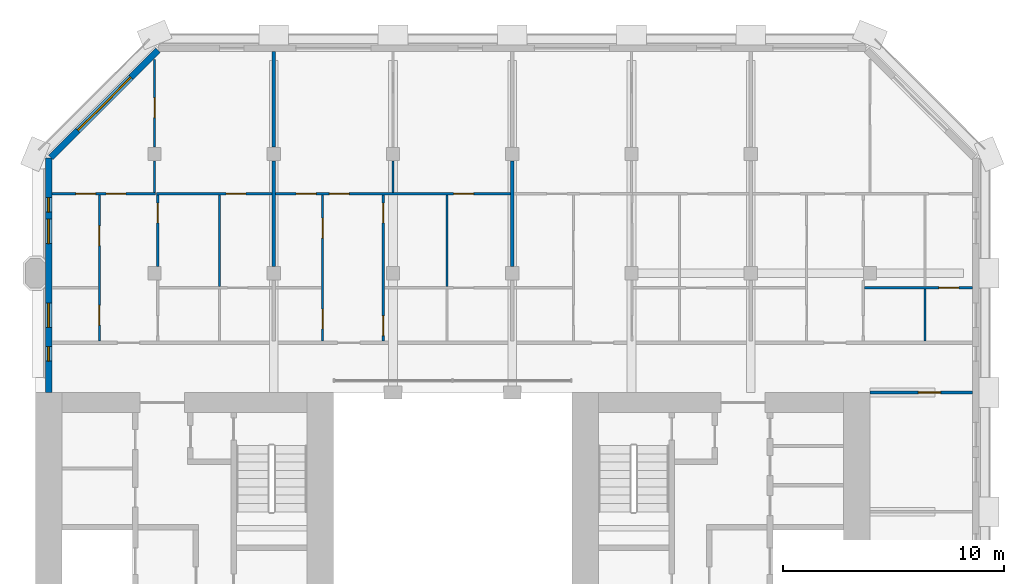
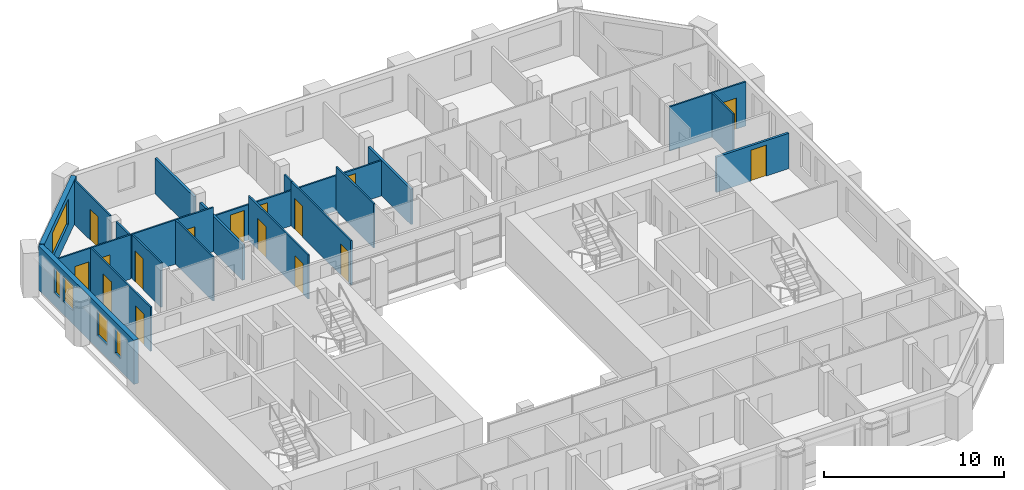
# One storey, part 8 of 13: 20 walls, 16 doors, 5 windows, 21 openings.
"""IFC4 building model written with IfcOpenShell, lengths in metres."""

from ifc_helpers import new_model, si_unit, direction, frame, frame_2d, origin, place, context, subcontext, project, spatial, rectangle, extrude, material, layer, layer_set, type_object, element, fill, save


model = new_model("IFC4")

# Units and contexts
model_context = context("Model", 3, precision=1e-05, world=origin(), true_north=direction((0.0, 1.0)))
body_context = subcontext(model_context, "Body", "Model", "MODEL_VIEW")
ifc_project = project(units=[si_unit("LENGTHUNIT", "METRE"), si_unit("AREAUNIT", "SQUARE_METRE"), si_unit("VOLUMEUNIT", "CUBIC_METRE"), si_unit("PLANEANGLEUNIT", "RADIAN"), si_unit("MASSUNIT", "GRAM", prefix="KILO")], contexts=[model_context])

# Site, building, storey
site_placement = place(None, origin())
site = spatial("IfcSite", under=ifc_project, at=site_placement, CompositionType="ELEMENT")
building_placement = place(site_placement, origin())
building = spatial("IfcBuilding", under=site, at=building_placement, Name="Tabaq Tower and Sports Hall", CompositionType="ELEMENT")
storey_placement = place(building_placement, frame((0.0, 0.0, 295.0)))
storey = spatial("IfcBuildingStorey", under=building, at=storey_placement, Name="L73", CompositionType="ELEMENT", Elevation=295.0)

# Wall, openings, doors
ifc_material_1 = material(Name="Gypsum board on steel studs", Category="steel")
ifc_layer_1 = layer(ifc_material_1, 0.10009765625)
ifc_layer_set_1 = layer_set([ifc_layer_1], Name="Partition 100 Gypsum board")
wall_type_1 = type_object("IfcWallType", Name="Partition 100 Gypsum board", PredefinedType="PARTITIONING", material=ifc_layer_set_1)
wall_1_placement = place(storey_placement, frame((6.15087890625, 41.39990234375, 0.0), z_axis=(0.0, 0.0, 1.0), x_axis=(1.0, 0.0, 0.0)))
wall_1 = element("IfcWall", 1, at=wall_1_placement, inside=storey, type_object=wall_type_1, Name="Partition wall L73", PredefinedType="PARTITIONING", context=body_context, shape_type="SweptSolid", body=[
    extrude(rectangle(XDim=4.69921875, YDim=0.10009765625, at=frame_2d((2.349609375, 0.0))), origin(), (0.0, 0.0, 1.0), 3.0),
])
opening_1_placement = place(wall_1_placement, frame((1.0791015625, 0.0, 0.0)))
opening_1 = element("IfcOpeningElement", 2, at=opening_1_placement, cuts=wall_1, Name="Opening L73-032", PredefinedType="OPENING", context=body_context, shape_type="SweptSolid", body=[
    extrude(rectangle(XDim=0.89990234375, YDim=2.10009765625, at=frame_2d((0.449951171875, 1.050048828125))), frame((0.0, 0.050048828125, 0.0), z_axis=(0.0, -1.0, 0.0), x_axis=(1.0, 0.0, 0.0)), (0.0, 0.0, 1.0), 0.10009765625),
])
opening_2_placement = place(wall_1_placement, frame((2.448974609375, 0.0, 0.0)))
opening_2 = element("IfcOpeningElement", 3, at=opening_2_placement, cuts=wall_1, Name="Opening L73-052", PredefinedType="OPENING", context=body_context, shape_type="SweptSolid", body=[
    extrude(rectangle(XDim=0.89990234375, YDim=2.10009765625, at=frame_2d((0.449951171875, 1.050048828125))), frame((0.0, 0.050048828125, 0.0), z_axis=(0.0, -1.0, 0.0), x_axis=(1.0, 0.0, 0.0)), (0.0, 0.0, 1.0), 0.10009765625),
])
ifc_material_2 = material(Name="Timber leaf in steel frame", Category="steel")
door_type_1 = type_object("IfcDoorType", Name="Internal door 900 left hand", OperationType="SINGLE_SWING_LEFT", PredefinedType="DOOR", material=ifc_material_2)
door_1_placement = place(opening_2_placement, origin())
door_1 = element("IfcDoor", 4, at=door_1_placement, inside=storey, type_object=door_type_1, Name="Internal door L73-052", OperationType="SINGLE_SWING_LEFT", OverallHeight=2.10009765625, OverallWidth=0.89990234375, PredefinedType="DOOR", context=body_context, shape_type="SweptSolid", body=[
    extrude(rectangle(XDim=0.89990234375, YDim=2.10009765625, at=frame_2d((0.449951171875, 1.050048828125))), frame((0.0, 0.02490234375, 0.0), z_axis=(0.0, -1.0, 0.0), x_axis=(1.0, 0.0, 0.0)), (0.0, 0.0, 1.0), 0.050048828125),
])
fill(opening_2, door_1)
ifc_material_3 = material(Name="Timber leaf in steel frame", Category="steel")
door_type_2 = type_object("IfcDoorType", Name="Internal door 900 right hand", OperationType="SINGLE_SWING_RIGHT", PredefinedType="DOOR", material=ifc_material_3)
door_2_placement = place(opening_1_placement, origin())
door_2 = element("IfcDoor", 5, at=door_2_placement, inside=storey, type_object=door_type_2, Name="Internal door L73-032", OperationType="SINGLE_SWING_RIGHT", OverallHeight=2.10009765625, OverallWidth=0.89990234375, PredefinedType="DOOR", context=body_context, shape_type="SweptSolid", body=[
    extrude(rectangle(XDim=0.89990234375, YDim=2.10009765625, at=frame_2d((0.449951171875, 1.050048828125))), frame((0.0, 0.02490234375, 0.0), z_axis=(0.0, -1.0, 0.0), x_axis=(1.0, 0.0, 0.0)), (0.0, 0.0, 1.0), 0.050048828125),
])
fill(opening_1, door_2)

# Wall
wall_2_placement = place(storey_placement, frame((10.800048828125, 41.449951171875, 0.0), z_axis=(0.0, 0.0, 1.0), x_axis=(0.0, 1.0, 0.0)))
element("IfcWall", 6, at=wall_2_placement, inside=storey, type_object=wall_type_1, Name="Partition wall L73", PredefinedType="PARTITIONING", context=body_context, shape_type="SweptSolid", body=[
    extrude(rectangle(XDim=1.429931640625, YDim=0.10009765625, at=frame_2d((0.71484375, 0.0))), origin(), (0.0, 0.0, 1.0), 3.0),
])

# Wall, opening, door
wall_3_placement = place(storey_placement, frame((10.800048828125, 43.52001953125, 0.0), z_axis=(0.0, 0.0, 1.0), x_axis=(0.0, 1.0, 0.0)))
wall_3 = element("IfcWall", 7, at=wall_3_placement, inside=storey, type_object=wall_type_1, Name="Partition wall L73", PredefinedType="PARTITIONING", context=body_context, shape_type="SweptSolid", body=[
    extrude(rectangle(XDim=3.9677734375, YDim=0.10009765625, at=frame_2d((1.98388671875, 0.0))), origin(), (0.0, 0.0, 1.0), 3.0),
])
opening_3_placement = place(wall_3_placement, frame((1.330078125, 0.0, 0.0)))
opening_3 = element("IfcOpeningElement", 8, at=opening_3_placement, cuts=wall_3, Name="Opening L73-031", PredefinedType="OPENING", context=body_context, shape_type="SweptSolid", body=[
    extrude(rectangle(XDim=0.89990234375, YDim=2.10009765625, at=frame_2d((0.449951171875, 1.050048828125))), frame((0.0, 0.050048828125, 0.0), z_axis=(0.0, -1.0, 0.0), x_axis=(1.0, 0.0, 0.0)), (0.0, 0.0, 1.0), 0.10009765625),
])
door_3_placement = place(opening_3_placement, origin())
door_3 = element("IfcDoor", 9, at=door_3_placement, inside=storey, type_object=door_type_2, Name="Internal door L73-031", OperationType="SINGLE_SWING_RIGHT", OverallHeight=2.10009765625, OverallWidth=0.89990234375, PredefinedType="DOOR", context=body_context, shape_type="SweptSolid", body=[
    extrude(rectangle(XDim=0.89990234375, YDim=2.10009765625, at=frame_2d((0.449951171875, 1.050048828125))), frame((0.0, 0.02490234375, 0.0), z_axis=(0.0, -1.0, 0.0), x_axis=(1.0, 0.0, 0.0)), (0.0, 0.0, 1.0), 0.050048828125),
])
fill(opening_3, door_3)

wall_4_placement = place(storey_placement, frame((10.889892578125, 41.39990234375, 0.0), z_axis=(0.0, 0.0, 1.0), x_axis=(1.0, 0.0, 0.0)))
wall_4 = element("IfcWall", 10, at=wall_4_placement, inside=storey, type_object=wall_type_1, Name="Partition wall L73", PredefinedType="PARTITIONING", context=body_context, shape_type="SweptSolid", body=[
    extrude(rectangle(XDim=5.235107421875, YDim=0.10009765625, at=frame_2d((2.61767578125, 0.0))), origin(), (0.0, 0.0, 1.0), 3.0),
])
opening_4_placement = place(wall_4_placement, frame((3.14990234375, 0.0, 0.0)))
opening_4 = element("IfcOpeningElement", 11, at=opening_4_placement, cuts=wall_4, Name="Opening L73-033", PredefinedType="OPENING", context=body_context, shape_type="SweptSolid", body=[
    extrude(rectangle(XDim=0.89990234375, YDim=2.10009765625, at=frame_2d((0.449951171875, 1.050048828125))), frame((0.0, 0.050048828125, 0.0), z_axis=(0.0, -1.0, 0.0), x_axis=(1.0, 0.0, 0.0)), (0.0, 0.0, 1.0), 0.10009765625),
])
door_4_placement = place(opening_4_placement, origin())
door_4 = element("IfcDoor", 12, at=door_4_placement, inside=storey, type_object=door_type_1, Name="Internal door L73-033", OperationType="SINGLE_SWING_LEFT", OverallHeight=2.10009765625, OverallWidth=0.89990234375, PredefinedType="DOOR", context=body_context, shape_type="SweptSolid", body=[
    extrude(rectangle(XDim=0.89990234375, YDim=2.10009765625, at=frame_2d((0.449951171875, 1.050048828125))), frame((0.0, 0.02490234375, 0.0), z_axis=(0.0, -1.0, 0.0), x_axis=(1.0, 0.0, 0.0)), (0.0, 0.0, 1.0), 0.050048828125),
])
fill(opening_4, door_4)

# Wall, openings, doors
wall_5_placement = place(storey_placement, frame((8.300048828125, 34.72509765625, 0.0), z_axis=(0.0, 0.0, 1.0), x_axis=(0.0, 1.0, 0.0)))
wall_5 = element("IfcWall", 13, at=wall_5_placement, inside=storey, type_object=wall_type_1, Name="Partition wall L73", PredefinedType="PARTITIONING", context=body_context, shape_type="SweptSolid", body=[
    extrude(rectangle(XDim=6.625, YDim=0.10009765625, at=frame_2d((3.3125, 0.0))), origin(), (0.0, 0.0, 1.0), 3.0),
])
opening_5_placement = place(wall_5_placement, frame((0.72509765625, 0.0, 0.0)))
opening_5 = element("IfcOpeningElement", 14, at=opening_5_placement, cuts=wall_5, Name="Opening L73-001", PredefinedType="OPENING", context=body_context, shape_type="SweptSolid", body=[
    extrude(rectangle(XDim=0.89990234375, YDim=2.10009765625, at=frame_2d((0.449951171875, 1.050048828125))), frame((0.0, 0.050048828125, 0.0), z_axis=(0.0, -1.0, 0.0), x_axis=(1.0, 0.0, 0.0)), (0.0, 0.0, 1.0), 0.10009765625),
])
opening_6_placement = place(wall_5_placement, frame((4.3291015625, 0.0, 0.0)))
opening_6 = element("IfcOpeningElement", 15, at=opening_6_placement, cuts=wall_5, Name="Opening L73-034", PredefinedType="OPENING", context=body_context, shape_type="SweptSolid", body=[
    extrude(rectangle(XDim=0.89990234375, YDim=2.10009765625, at=frame_2d((0.449951171875, 1.050048828125))), frame((0.0, 0.050048828125, 0.0), z_axis=(0.0, -1.0, 0.0), x_axis=(1.0, 0.0, 0.0)), (0.0, 0.0, 1.0), 0.10009765625),
])
door_5_placement = place(opening_5_placement, origin())
door_5 = element("IfcDoor", 16, at=door_5_placement, inside=storey, type_object=door_type_1, Name="Internal door L73-001", OperationType="SINGLE_SWING_LEFT", OverallHeight=2.10009765625, OverallWidth=0.89990234375, PredefinedType="DOOR", context=body_context, shape_type="SweptSolid", body=[
    extrude(rectangle(XDim=0.89990234375, YDim=2.10009765625, at=frame_2d((0.449951171875, 1.050048828125))), frame((0.0, 0.02490234375, 0.0), z_axis=(0.0, -1.0, 0.0), x_axis=(1.0, 0.0, 0.0)), (0.0, 0.0, 1.0), 0.050048828125),
])
fill(opening_5, door_5)
door_6_placement = place(opening_6_placement, origin())
door_6 = element("IfcDoor", 17, at=door_6_placement, inside=storey, type_object=door_type_2, Name="Internal door L73-034", OperationType="SINGLE_SWING_RIGHT", OverallHeight=2.10009765625, OverallWidth=0.89990234375, PredefinedType="DOOR", context=body_context, shape_type="SweptSolid", body=[
    extrude(rectangle(XDim=0.89990234375, YDim=2.10009765625, at=frame_2d((0.449951171875, 1.050048828125))), frame((0.0, 0.02490234375, 0.0), z_axis=(0.0, -1.0, 0.0), x_axis=(1.0, 0.0, 0.0)), (0.0, 0.0, 1.0), 0.050048828125),
])
fill(opening_6, door_6)

# Wall, opening, door
wall_6_placement = place(storey_placement, frame((10.93994140625, 38.1201171875, 0.0), z_axis=(0.0, 0.0, 1.0), x_axis=(0.0, 1.0, 0.0)))
wall_6 = element("IfcWall", 18, at=wall_6_placement, inside=storey, type_object=wall_type_1, Name="Partition wall L73", PredefinedType="PARTITIONING", context=body_context, shape_type="SweptSolid", body=[
    extrude(rectangle(XDim=3.22998046875, YDim=0.10009765625, at=frame_2d((1.614990234375, 0.0))), origin(), (0.0, 0.0, 1.0), 3.0),
])
opening_7_placement = place(wall_6_placement, frame((1.965087890625, 0.0, 0.0)))
opening_7 = element("IfcOpeningElement", 19, at=opening_7_placement, cuts=wall_6, Name="Opening L73-002", PredefinedType="OPENING", context=body_context, shape_type="SweptSolid", body=[
    extrude(rectangle(XDim=0.89990234375, YDim=2.10009765625, at=frame_2d((0.449951171875, 1.050048828125))), frame((0.0, 0.050048828125, 0.0), z_axis=(0.0, -1.0, 0.0), x_axis=(1.0, 0.0, 0.0)), (0.0, 0.0, 1.0), 0.10009765625),
])
door_7_placement = place(opening_7_placement, origin())
door_7 = element("IfcDoor", 20, at=door_7_placement, inside=storey, type_object=door_type_2, Name="Internal door L73-002", OperationType="SINGLE_SWING_RIGHT", OverallHeight=2.10009765625, OverallWidth=0.89990234375, PredefinedType="DOOR", context=body_context, shape_type="SweptSolid", body=[
    extrude(rectangle(XDim=0.89990234375, YDim=2.10009765625, at=frame_2d((0.449951171875, 1.050048828125))), frame((0.0, 0.02490234375, 0.0), z_axis=(0.0, -1.0, 0.0), x_axis=(1.0, 0.0, 0.0)), (0.0, 0.0, 1.0), 0.050048828125),
])
fill(opening_7, door_7)

# Walls
wall_7_placement = place(storey_placement, frame((13.739990234375, 37.199951171875, 0.0), z_axis=(0.0, 0.0, 1.0), x_axis=(0.0, 1.0, 0.0)))
element("IfcWall", 21, at=wall_7_placement, inside=storey, type_object=wall_type_1, Name="Partition wall L73", PredefinedType="PARTITIONING", context=body_context, shape_type="SweptSolid", body=[
    extrude(rectangle(XDim=4.150146484375, YDim=0.10009765625, at=frame_2d((2.0751953125, 0.0))), origin(), (0.0, 0.0, 1.0), 3.0),
])
wall_8_placement = place(storey_placement, frame((21.60009765625, 41.449951171875, 0.0), z_axis=(0.0, 0.0, 1.0), x_axis=(0.0, 1.0, 0.0)))
element("IfcWall", 22, at=wall_8_placement, inside=storey, type_object=wall_type_1, Name="Partition wall L73", PredefinedType="PARTITIONING", context=body_context, shape_type="SweptSolid", body=[
    extrude(rectangle(XDim=1.429931640625, YDim=0.10009765625, at=frame_2d((0.71484375, 0.0))), origin(), (0.0, 0.0, 1.0), 2.39990234375),
])

# Wall, openings, doors
wall_9_placement = place(storey_placement, frame((16.27490234375, 41.39990234375, 0.0), z_axis=(0.0, 0.0, 1.0), x_axis=(1.0, 0.0, 0.0)))
wall_9 = element("IfcWall", 23, at=wall_9_placement, inside=storey, type_object=wall_type_1, Name="Partition wall L73", PredefinedType="PARTITIONING", context=body_context, shape_type="SweptSolid", body=[
    extrude(rectangle(XDim=10.650146484375, YDim=0.10009765625, at=frame_2d((5.3251953125, 0.0))), origin(), (0.0, 0.0, 1.0), 2.39990234375),
])
opening_8_placement = place(wall_9_placement, frame((0.93701171875, 0.0, 0.0)))
opening_8 = element("IfcOpeningElement", 24, at=opening_8_placement, cuts=wall_9, Name="Opening L73-036", PredefinedType="OPENING", context=body_context, shape_type="SweptSolid", body=[
    extrude(rectangle(XDim=0.89990234375, YDim=2.10009765625, at=frame_2d((0.449951171875, 1.050048828125))), frame((0.0, 0.050048828125, 0.0), z_axis=(0.0, -1.0, 0.0), x_axis=(1.0, 0.0, 0.0)), (0.0, 0.0, 1.0), 0.10009765625),
])
opening_9_placement = place(wall_9_placement, frame((8.074951171875, 0.0, 0.0)))
opening_9 = element("IfcOpeningElement", 25, at=opening_9_placement, cuts=wall_9, Name="Opening L73-037", PredefinedType="OPENING", context=body_context, shape_type="SweptSolid", body=[
    extrude(rectangle(XDim=0.89990234375, YDim=2.10009765625, at=frame_2d((0.449951171875, 1.050048828125))), frame((0.0, 0.050048828125, 0.0), z_axis=(0.0, -1.0, 0.0), x_axis=(1.0, 0.0, 0.0)), (0.0, 0.0, 1.0), 0.10009765625),
])
opening_10_placement = place(wall_9_placement, frame((2.43701171875, 0.0, 0.0)))
opening_10 = element("IfcOpeningElement", 26, at=opening_10_placement, cuts=wall_9, Name="Opening L73-053", PredefinedType="OPENING", context=body_context, shape_type="SweptSolid", body=[
    extrude(rectangle(XDim=0.89990234375, YDim=2.10009765625, at=frame_2d((0.449951171875, 1.050048828125))), frame((0.0, 0.050048828125, 0.0), z_axis=(0.0, -1.0, 0.0), x_axis=(1.0, 0.0, 0.0)), (0.0, 0.0, 1.0), 0.10009765625),
])
door_8_placement = place(opening_9_placement, origin())
door_8 = element("IfcDoor", 27, at=door_8_placement, inside=storey, type_object=door_type_1, Name="Internal door L73-037", OperationType="SINGLE_SWING_LEFT", OverallHeight=2.10009765625, OverallWidth=0.89990234375, PredefinedType="DOOR", context=body_context, shape_type="SweptSolid", body=[
    extrude(rectangle(XDim=0.89990234375, YDim=2.10009765625, at=frame_2d((0.449951171875, 1.050048828125))), frame((0.0, 0.02490234375, 0.0), z_axis=(0.0, -1.0, 0.0), x_axis=(1.0, 0.0, 0.0)), (0.0, 0.0, 1.0), 0.050048828125),
])
fill(opening_9, door_8)
door_9_placement = place(opening_10_placement, origin())
door_9 = element("IfcDoor", 28, at=door_9_placement, inside=storey, type_object=door_type_1, Name="Internal door L73-053", OperationType="SINGLE_SWING_LEFT", OverallHeight=2.10009765625, OverallWidth=0.89990234375, PredefinedType="DOOR", context=body_context, shape_type="SweptSolid", body=[
    extrude(rectangle(XDim=0.89990234375, YDim=2.10009765625, at=frame_2d((0.449951171875, 1.050048828125))), frame((0.0, 0.02490234375, 0.0), z_axis=(0.0, -1.0, 0.0), x_axis=(1.0, 0.0, 0.0)), (0.0, 0.0, 1.0), 0.050048828125),
])
fill(opening_10, door_9)
door_10_placement = place(opening_8_placement, origin())
door_10 = element("IfcDoor", 29, at=door_10_placement, inside=storey, type_object=door_type_2, Name="Internal door L73-036", OperationType="SINGLE_SWING_RIGHT", OverallHeight=2.10009765625, OverallWidth=0.89990234375, PredefinedType="DOOR", context=body_context, shape_type="SweptSolid", body=[
    extrude(rectangle(XDim=0.89990234375, YDim=2.10009765625, at=frame_2d((0.449951171875, 1.050048828125))), frame((0.0, 0.02490234375, 0.0), z_axis=(0.0, -1.0, 0.0), x_axis=(1.0, 0.0, 0.0)), (0.0, 0.0, 1.0), 0.050048828125),
])
fill(opening_8, door_10)

wall_10_placement = place(storey_placement, frame((18.412109375, 34.72509765625, 0.0), z_axis=(0.0, 0.0, 1.0), x_axis=(0.0, 1.0, 0.0)))
wall_10 = element("IfcWall", 30, at=wall_10_placement, inside=storey, type_object=wall_type_1, Name="Partition wall L73", PredefinedType="PARTITIONING", context=body_context, shape_type="SweptSolid", body=[
    extrude(rectangle(XDim=6.625, YDim=0.10009765625, at=frame_2d((3.3125, 0.0))), origin(), (0.0, 0.0, 1.0), 3.0),
])
opening_11_placement = place(wall_10_placement, frame((0.55810546875, 0.0, 0.0)))
opening_11 = element("IfcOpeningElement", 31, at=opening_11_placement, cuts=wall_10, Name="Opening L73-005", PredefinedType="OPENING", context=body_context, shape_type="SweptSolid", body=[
    extrude(rectangle(XDim=0.89990234375, YDim=2.10009765625, at=frame_2d((0.449951171875, 1.050048828125))), frame((0.0, 0.050048828125, 0.0), z_axis=(0.0, -1.0, 0.0), x_axis=(1.0, 0.0, 0.0)), (0.0, 0.0, 1.0), 0.10009765625),
])
opening_12_placement = place(wall_10_placement, frame((4.673095703125, 0.0, 0.0)))
opening_12 = element("IfcOpeningElement", 32, at=opening_12_placement, cuts=wall_10, Name="Opening L73-038", PredefinedType="OPENING", context=body_context, shape_type="SweptSolid", body=[
    extrude(rectangle(XDim=0.89990234375, YDim=2.10009765625, at=frame_2d((0.449951171875, 1.050048828125))), frame((0.0, 0.050048828125, 0.0), z_axis=(0.0, -1.0, 0.0), x_axis=(1.0, 0.0, 0.0)), (0.0, 0.0, 1.0), 0.10009765625),
])
door_11_placement = place(opening_12_placement, origin())
door_11 = element("IfcDoor", 33, at=door_11_placement, inside=storey, type_object=door_type_1, Name="Internal door L73-038", OperationType="SINGLE_SWING_LEFT", OverallHeight=2.10009765625, OverallWidth=0.89990234375, PredefinedType="DOOR", context=body_context, shape_type="SweptSolid", body=[
    extrude(rectangle(XDim=0.89990234375, YDim=2.10009765625, at=frame_2d((0.449951171875, 1.050048828125))), frame((0.0, 0.02490234375, 0.0), z_axis=(0.0, -1.0, 0.0), x_axis=(1.0, 0.0, 0.0)), (0.0, 0.0, 1.0), 0.050048828125),
])
fill(opening_12, door_11)
door_12_placement = place(opening_11_placement, origin())
door_12 = element("IfcDoor", 34, at=door_12_placement, inside=storey, type_object=door_type_2, Name="Internal door L73-005", OperationType="SINGLE_SWING_RIGHT", OverallHeight=2.10009765625, OverallWidth=0.89990234375, PredefinedType="DOOR", context=body_context, shape_type="SweptSolid", body=[
    extrude(rectangle(XDim=0.89990234375, YDim=2.10009765625, at=frame_2d((0.449951171875, 1.050048828125))), frame((0.0, 0.02490234375, 0.0), z_axis=(0.0, -1.0, 0.0), x_axis=(1.0, 0.0, 0.0)), (0.0, 0.0, 1.0), 0.050048828125),
])
fill(opening_11, door_12)

wall_11_placement = place(storey_placement, frame((21.162109375, 34.72509765625, 0.0), z_axis=(0.0, 0.0, 1.0), x_axis=(0.0, 1.0, 0.0)))
wall_11 = element("IfcWall", 35, at=wall_11_placement, inside=storey, type_object=wall_type_1, Name="Partition wall L73", PredefinedType="PARTITIONING", context=body_context, shape_type="SweptSolid", body=[
    extrude(rectangle(XDim=6.625, YDim=0.10009765625, at=frame_2d((3.3125, 0.0))), origin(), (0.0, 0.0, 1.0), 3.0),
])
opening_13_placement = place(wall_11_placement, frame((5.360107421875, 0.0, 0.0)))
opening_13 = element("IfcOpeningElement", 36, at=opening_13_placement, cuts=wall_11, Name="Opening L73-006", PredefinedType="OPENING", context=body_context, shape_type="SweptSolid", body=[
    extrude(rectangle(XDim=0.89990234375, YDim=2.10009765625, at=frame_2d((0.449951171875, 1.050048828125))), frame((0.0, 0.050048828125, 0.0), z_axis=(0.0, -1.0, 0.0), x_axis=(1.0, 0.0, 0.0)), (0.0, 0.0, 1.0), 0.10009765625),
])
opening_14_placement = place(wall_11_placement, frame((0.25, 0.0, 0.0)))
opening_14 = element("IfcOpeningElement", 37, at=opening_14_placement, cuts=wall_11, Name="Opening L73-007", PredefinedType="OPENING", context=body_context, shape_type="SweptSolid", body=[
    extrude(rectangle(XDim=0.89990234375, YDim=2.10009765625, at=frame_2d((0.449951171875, 1.050048828125))), frame((0.0, 0.050048828125, 0.0), z_axis=(0.0, -1.0, 0.0), x_axis=(1.0, 0.0, 0.0)), (0.0, 0.0, 1.0), 0.10009765625),
])
door_13_placement = place(opening_13_placement, origin())
door_13 = element("IfcDoor", 38, at=door_13_placement, inside=storey, type_object=door_type_1, Name="Internal door L73-006", OperationType="SINGLE_SWING_LEFT", OverallHeight=2.10009765625, OverallWidth=0.89990234375, PredefinedType="DOOR", context=body_context, shape_type="SweptSolid", body=[
    extrude(rectangle(XDim=0.89990234375, YDim=2.10009765625, at=frame_2d((0.449951171875, 1.050048828125))), frame((0.0, 0.02490234375, 0.0), z_axis=(0.0, -1.0, 0.0), x_axis=(1.0, 0.0, 0.0)), (0.0, 0.0, 1.0), 0.050048828125),
])
fill(opening_13, door_13)
door_14_placement = place(opening_14_placement, origin())
door_14 = element("IfcDoor", 39, at=door_14_placement, inside=storey, type_object=door_type_1, Name="Internal door L73-007", OperationType="SINGLE_SWING_LEFT", OverallHeight=2.10009765625, OverallWidth=0.89990234375, PredefinedType="DOOR", context=body_context, shape_type="SweptSolid", body=[
    extrude(rectangle(XDim=0.89990234375, YDim=2.10009765625, at=frame_2d((0.449951171875, 1.050048828125))), frame((0.0, 0.02490234375, 0.0), z_axis=(0.0, -1.0, 0.0), x_axis=(1.0, 0.0, 0.0)), (0.0, 0.0, 1.0), 0.050048828125),
])
fill(opening_14, door_14)

# Walls
wall_12_placement = place(storey_placement, frame((24.050048828125, 37.199951171875, 0.0), z_axis=(0.0, 0.0, 1.0), x_axis=(0.0, 1.0, 0.0)))
element("IfcWall", 40, at=wall_12_placement, inside=storey, type_object=wall_type_1, Name="Partition wall L73", PredefinedType="PARTITIONING", context=body_context, shape_type="SweptSolid", body=[
    extrude(rectangle(XDim=4.150146484375, YDim=0.10009765625, at=frame_2d((2.0751953125, 0.0))), origin(), (0.0, 0.0, 1.0), 3.0),
])
wall_13_placement = place(storey_placement, frame((45.699951171875, 34.72509765625, 0.0), z_axis=(0.0, 0.0, 1.0), x_axis=(0.0, 1.0, 0.0)))
element("IfcWall", 41, at=wall_13_placement, inside=storey, type_object=wall_type_1, Name="Partition wall L73", PredefinedType="PARTITIONING", context=body_context, shape_type="SweptSolid", body=[
    extrude(rectangle(XDim=2.375, YDim=0.10009765625, at=frame_2d((1.1875, 0.0))), origin(), (0.0, 0.0, 1.0), 3.0),
])

# Wall, opening, door
wall_14_placement = place(storey_placement, frame((42.949951171875, 37.14990234375, 0.0), z_axis=(0.0, 0.0, 1.0), x_axis=(1.0, 0.0, 0.0)))
wall_14 = element("IfcWall", 42, at=wall_14_placement, inside=storey, type_object=wall_type_1, Name="Partition wall L73", PredefinedType="PARTITIONING", context=body_context, shape_type="SweptSolid", body=[
    extrude(rectangle(XDim=4.899169921875, YDim=0.10009765625, at=frame_2d((2.44970703125, 0.0))), origin(), (0.0, 0.0, 1.0), 3.0),
])
opening_15_placement = place(wall_14_placement, frame((3.3759765625, 0.0, 0.0)))
opening_15 = element("IfcOpeningElement", 43, at=opening_15_placement, cuts=wall_14, Name="Opening L73-016", PredefinedType="OPENING", context=body_context, shape_type="SweptSolid", body=[
    extrude(rectangle(XDim=0.89990234375, YDim=2.10009765625, at=frame_2d((0.449951171875, 1.050048828125))), frame((0.0, 0.050048828125, 0.0), z_axis=(0.0, -1.0, 0.0), x_axis=(1.0, 0.0, 0.0)), (0.0, 0.0, 1.0), 0.10009765625),
])
door_15_placement = place(opening_15_placement, origin())
door_15 = element("IfcDoor", 44, at=door_15_placement, inside=storey, type_object=door_type_1, Name="Internal door L73-016", OperationType="SINGLE_SWING_LEFT", OverallHeight=2.10009765625, OverallWidth=0.89990234375, PredefinedType="DOOR", context=body_context, shape_type="SweptSolid", body=[
    extrude(rectangle(XDim=0.89990234375, YDim=2.10009765625, at=frame_2d((0.449951171875, 1.050048828125))), frame((0.0, 0.02490234375, 0.0), z_axis=(0.0, -1.0, 0.0), x_axis=(1.0, 0.0, 0.0)), (0.0, 0.0, 1.0), 0.050048828125),
])
fill(opening_15, door_15)

# Walls
ifc_material_4 = material(Name="Blockwork", Category="masonry")
ifc_layer_2 = layer(ifc_material_4, 0.14990234375)
ifc_layer_set_2 = layer_set([ifc_layer_2], Name="Separating wall 150 Blockwork")
wall_type_2 = type_object("IfcWallType", Name="Separating wall 150 Blockwork", PredefinedType="PARTITIONING", material=ifc_layer_set_2)
wall_15_placement = place(storey_placement, frame((16.199951171875, 43.52001953125, 0.0), z_axis=(0.0, 0.0, 1.0), x_axis=(0.0, 1.0, 0.0)))
element("IfcWall", 45, at=wall_15_placement, inside=storey, type_object=wall_type_2, Name="Separating wall L73", PredefinedType="PARTITIONING", context=body_context, shape_type="SweptSolid", body=[
    extrude(rectangle(XDim=4.3291015625, YDim=0.14990234375, at=frame_2d((2.16455078125, 0.0))), origin(), (0.0, 0.0, 1.0), 2.39990234375),
])
for number, where, z_axis, x_axis, name in (
    (46, (16.199951171875, 38.1201171875, 0.0), (0.0, 0.0, 1.0), (0.0, 1.0, 0.0), "Separating wall L73"),
    (47, (27.0, 38.1201171875, 0.0), (0.0, 0.0, 1.0), (0.0, 1.0, 0.0), "Separating wall L73"),
):
    element("IfcWall", number, at=place(storey_placement, frame(where, z_axis=z_axis, x_axis=x_axis)), inside=storey, type_object=wall_type_2, Name=name, PredefinedType="PARTITIONING", context=body_context, shape_type="SweptSolid", body=[
        extrude(rectangle(XDim=4.759765625, YDim=0.14990234375, at=frame_2d((2.3798828125, 0.0))), origin(), (0.0, 0.0, 1.0), 2.39990234375),
    ])

# Wall, opening, door
wall_16_placement = place(storey_placement, frame((47.84912109375, 32.39990234375, 0.0), z_axis=(0.0, 0.0, 1.0), x_axis=(-1.0, 0.0, 0.0)))
wall_16 = element("IfcWall", 48, at=wall_16_placement, inside=storey, type_object=wall_type_2, Name="Separating wall L73", PredefinedType="PARTITIONING", context=body_context, shape_type="SweptSolid", body=[
    extrude(rectangle(XDim=4.649169921875, YDim=0.14990234375, at=frame_2d((2.32470703125, 0.0))), origin(), (0.0, 0.0, 1.0), 2.39990234375),
])
opening_16_placement = place(wall_16_placement, frame((1.448974609375, 0.0, 0.0)))
opening_16 = element("IfcOpeningElement", 49, at=opening_16_placement, cuts=wall_16, Name="Opening L73-017", PredefinedType="OPENING", context=body_context, shape_type="SweptSolid", body=[
    extrude(rectangle(XDim=1.0, YDim=2.10009765625, at=frame_2d((0.5, 1.050048828125))), frame((0.0, 0.074951171875, 0.0), z_axis=(0.0, -1.0, 0.0), x_axis=(1.0, 0.0, 0.0)), (0.0, 0.0, 1.0), 0.14990234375),
])
ifc_material_5 = material(Name="Timber leaf in steel frame", Category="steel")
door_type_3 = type_object("IfcDoorType", Name="Internal door 1000 left hand", OperationType="SINGLE_SWING_LEFT", PredefinedType="DOOR", material=ifc_material_5)
door_16_placement = place(opening_16_placement, origin())
door_16 = element("IfcDoor", 50, at=door_16_placement, inside=storey, type_object=door_type_3, Name="Internal door L73-017", OperationType="SINGLE_SWING_LEFT", OverallHeight=2.10009765625, OverallWidth=1.0, PredefinedType="DOOR", context=body_context, shape_type="SweptSolid", body=[
    extrude(rectangle(XDim=1.0, YDim=2.10009765625, at=frame_2d((0.5, 1.050048828125))), frame((0.0, 0.02490234375, 0.0), z_axis=(0.0, -1.0, 0.0), x_axis=(1.0, 0.0, 0.0)), (0.0, 0.0, 1.0), 0.050048828125),
])
fill(opening_16, door_16)

# Wall, opening, window
ifc_material_6 = material(Name="White precast concrete C60/75", Category="concrete")
ifc_layer_3 = layer(ifc_material_6, 0.300048828125)
ifc_layer_set_3 = layer_set([ifc_layer_3], Name="White precast concrete C60/75 external wall 300")
wall_type_3 = type_object("IfcWallType", Name="White precast concrete C60/75 external wall 300", PredefinedType="SOLIDWALL", material=ifc_layer_set_3)
wall_17_placement = place(storey_placement, frame((10.949462890625, 47.901123046875, 0.0), z_axis=(0.0, 0.0, 1.0), x_axis=(-0.707106781187, -0.707106781187, 0.0)))
wall_17 = element("IfcWall", 51, at=wall_17_placement, inside=storey, type_object=wall_type_3, Name="External Wall L73 NW", PredefinedType="SOLIDWALL", context=body_context, shape_type="SweptSolid", body=[
    extrude(rectangle(XDim=6.85986328125, YDim=0.300048828125, at=frame_2d((3.429931640625, 0.0))), origin(), (0.0, 0.0, 1.0), 3.0),
])
opening_17_placement = place(wall_17_placement, frame((1.729736328125, 0.0, 0.89990234375)))
opening_17 = element("IfcOpeningElement", 52, at=opening_17_placement, cuts=wall_17, Name="Opening W1A", PredefinedType="OPENING", context=body_context, shape_type="SweptSolid", body=[
    extrude(rectangle(XDim=3.39990234375, YDim=1.699951171875, at=frame_2d((1.699951171875, 0.85009765625))), frame((0.0, 0.16015625, 0.0), z_axis=(0.0, -1.0, 0.0), x_axis=(1.0, 0.0, 0.0)), (0.0, 0.0, 1.0), 0.320068359375),
])
ifc_material_7 = material(Name="Aluminium framed clear glazing", Category="aluminium")
window_type_1 = type_object("IfcWindowType", Name="Window W1A", PartitioningType="SINGLE_PANEL", PredefinedType="WINDOW", material=ifc_material_7)
window_1_placement = place(opening_17_placement, origin())
window_1 = element("IfcWindow", 53, at=window_1_placement, inside=storey, type_object=window_type_1, Name="Window W1A L73", OverallHeight=1.699951171875, OverallWidth=3.39990234375, PartitioningType="SINGLE_PANEL", PredefinedType="WINDOW", context=body_context, shape_type="SweptSolid", body=[
    extrude(rectangle(XDim=3.39990234375, YDim=1.699951171875, at=frame_2d((1.699951171875, 0.85009765625))), frame((0.0, 0.030029296875, 0.0), z_axis=(0.0, -1.0, 0.0), x_axis=(1.0, 0.0, 0.0)), (0.0, 0.0, 1.0), 0.06005859375),
])
fill(opening_17, window_1)

# Wall, openings, windows
wall_18_placement = place(storey_placement, frame((6.0, 43.013671875, 0.0), z_axis=(0.0, 0.0, 1.0), x_axis=(0.0, -1.0, 0.0)))
wall_18 = element("IfcWall", 54, at=wall_18_placement, inside=storey, type_object=wall_type_3, Name="External Wall L73 W", PredefinedType="SOLIDWALL", context=body_context, shape_type="SweptSolid", body=[
    extrude(rectangle(XDim=10.61376953125, YDim=0.300048828125, at=frame_2d((5.306884765625, 0.0))), origin(), (0.0, 0.0, 1.0), 3.0),
])
opening_18_placement = place(wall_18_placement, frame((1.78857421875, 0.0, 0.89990234375)))
opening_18 = element("IfcOpeningElement", 55, at=opening_18_placement, cuts=wall_18, Name="Opening W1C", PredefinedType="OPENING", context=body_context, shape_type="SweptSolid", body=[
    extrude(rectangle(XDim=0.64990234375, YDim=1.699951171875, at=frame_2d((0.324951171875, 0.85009765625))), frame((0.0, 0.16015625, 0.0), z_axis=(0.0, -1.0, 0.0), x_axis=(1.0, 0.0, 0.0)), (0.0, 0.0, 1.0), 0.320068359375),
])
opening_19_placement = place(wall_18_placement, frame((2.763671875, 0.0, 0.89990234375)))
opening_19 = element("IfcOpeningElement", 56, at=opening_19_placement, cuts=wall_18, Name="Opening W1B", PredefinedType="OPENING", context=body_context, shape_type="SweptSolid", body=[
    extrude(rectangle(XDim=1.10009765625, YDim=1.699951171875, at=frame_2d((0.550048828125, 0.85009765625))), frame((0.0, 0.16015625, 0.0), z_axis=(0.0, -1.0, 0.0), x_axis=(1.0, 0.0, 0.0)), (0.0, 0.0, 1.0), 0.320068359375),
])
opening_20_placement = place(wall_18_placement, frame((6.563720703125, 0.0, 0.89990234375)))
opening_20 = element("IfcOpeningElement", 57, at=opening_20_placement, cuts=wall_18, Name="Opening W1B", PredefinedType="OPENING", context=body_context, shape_type="SweptSolid", body=[
    extrude(rectangle(XDim=1.10009765625, YDim=1.699951171875, at=frame_2d((0.550048828125, 0.85009765625))), frame((0.0, 0.16015625, 0.0), z_axis=(0.0, -1.0, 0.0), x_axis=(1.0, 0.0, 0.0)), (0.0, 0.0, 1.0), 0.320068359375),
])
opening_21_placement = place(wall_18_placement, frame((8.53857421875, 0.0, 0.89990234375)))
opening_21 = element("IfcOpeningElement", 58, at=opening_21_placement, cuts=wall_18, Name="Opening W1C", PredefinedType="OPENING", context=body_context, shape_type="SweptSolid", body=[
    extrude(rectangle(XDim=0.64990234375, YDim=1.699951171875, at=frame_2d((0.324951171875, 0.85009765625))), frame((0.0, 0.16015625, 0.0), z_axis=(0.0, -1.0, 0.0), x_axis=(1.0, 0.0, 0.0)), (0.0, 0.0, 1.0), 0.320068359375),
])
ifc_material_8 = material(Name="Aluminium framed clear glazing", Category="aluminium")
window_type_2 = type_object("IfcWindowType", Name="Window W1B", PartitioningType="SINGLE_PANEL", PredefinedType="WINDOW", material=ifc_material_8)
window_2_placement = place(opening_19_placement, origin())
window_2 = element("IfcWindow", 59, at=window_2_placement, inside=storey, type_object=window_type_2, Name="Window W1B L73", OverallHeight=1.699951171875, OverallWidth=1.10009765625, PartitioningType="SINGLE_PANEL", PredefinedType="WINDOW", context=body_context, shape_type="SweptSolid", body=[
    extrude(rectangle(XDim=1.10009765625, YDim=1.699951171875, at=frame_2d((0.550048828125, 0.85009765625))), frame((0.0, 0.030029296875, 0.0), z_axis=(0.0, -1.0, 0.0), x_axis=(1.0, 0.0, 0.0)), (0.0, 0.0, 1.0), 0.06005859375),
])
fill(opening_19, window_2)
window_3_placement = place(opening_20_placement, origin())
window_3 = element("IfcWindow", 60, at=window_3_placement, inside=storey, type_object=window_type_2, Name="Window W1B L73", OverallHeight=1.699951171875, OverallWidth=1.10009765625, PartitioningType="SINGLE_PANEL", PredefinedType="WINDOW", context=body_context, shape_type="SweptSolid", body=[
    extrude(rectangle(XDim=1.10009765625, YDim=1.699951171875, at=frame_2d((0.550048828125, 0.85009765625))), frame((0.0, 0.030029296875, 0.0), z_axis=(0.0, -1.0, 0.0), x_axis=(1.0, 0.0, 0.0)), (0.0, 0.0, 1.0), 0.06005859375),
])
fill(opening_20, window_3)
ifc_material_9 = material(Name="Aluminium framed clear glazing", Category="aluminium")
window_type_3 = type_object("IfcWindowType", Name="Window W1C", PartitioningType="SINGLE_PANEL", PredefinedType="WINDOW", material=ifc_material_9)
window_4_placement = place(opening_18_placement, origin())
window_4 = element("IfcWindow", 61, at=window_4_placement, inside=storey, type_object=window_type_3, Name="Window W1C L73", OverallHeight=1.699951171875, OverallWidth=0.64990234375, PartitioningType="SINGLE_PANEL", PredefinedType="WINDOW", context=body_context, shape_type="SweptSolid", body=[
    extrude(rectangle(XDim=0.64990234375, YDim=1.699951171875, at=frame_2d((0.324951171875, 0.85009765625))), frame((0.0, 0.030029296875, 0.0), z_axis=(0.0, -1.0, 0.0), x_axis=(1.0, 0.0, 0.0)), (0.0, 0.0, 1.0), 0.06005859375),
])
fill(opening_18, window_4)
window_5_placement = place(opening_21_placement, origin())
window_5 = element("IfcWindow", 62, at=window_5_placement, inside=storey, type_object=window_type_3, Name="Window W1C L73", OverallHeight=1.699951171875, OverallWidth=0.64990234375, PartitioningType="SINGLE_PANEL", PredefinedType="WINDOW", context=body_context, shape_type="SweptSolid", body=[
    extrude(rectangle(XDim=0.64990234375, YDim=1.699951171875, at=frame_2d((0.324951171875, 0.85009765625))), frame((0.0, 0.030029296875, 0.0), z_axis=(0.0, -1.0, 0.0), x_axis=(1.0, 0.0, 0.0)), (0.0, 0.0, 1.0), 0.06005859375),
])
fill(opening_21, window_5)

save(model, "model.ifc")
